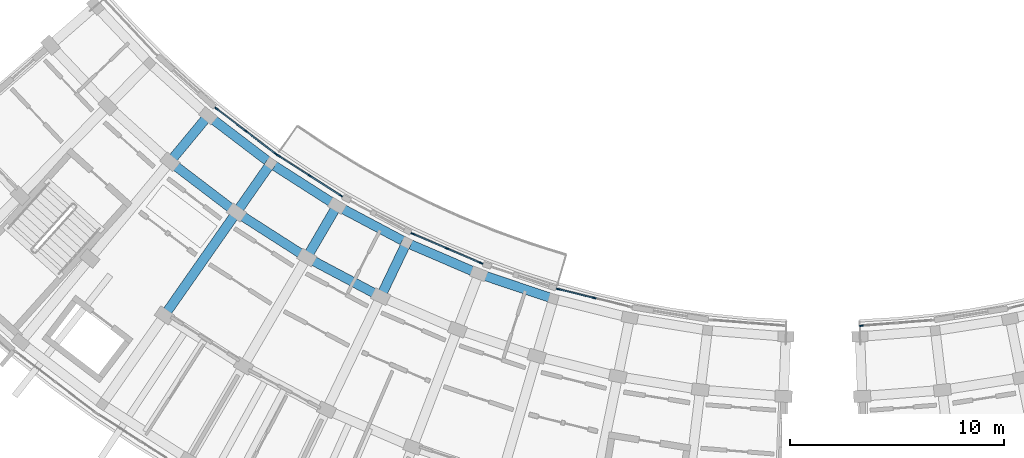
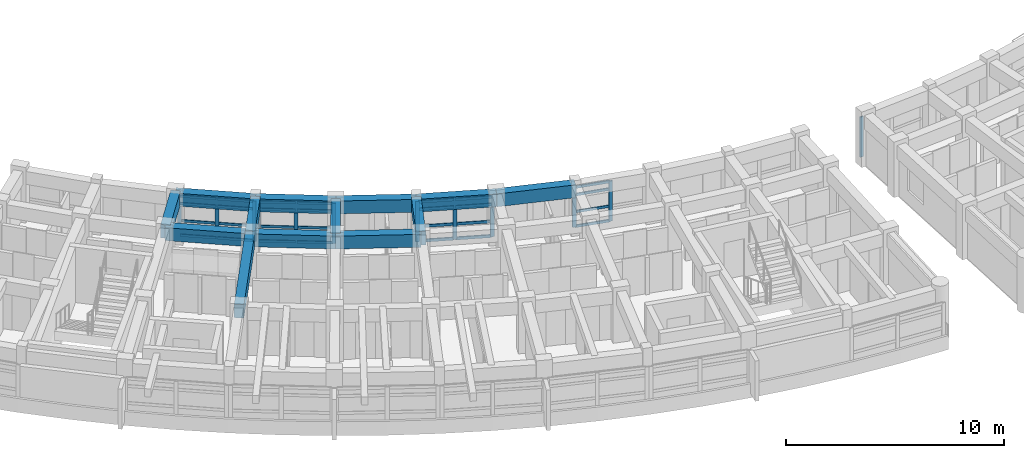
# One storey, part 13 of 56: 40 members, 13 beams, 5 elements without a shape of their own.
"""IFC4 building model written with IfcOpenShell, lengths in metres."""

from ifc_helpers import new_model, si_unit, direction, frame, origin, origin_2d, place, context, subcontext, project, spatial, rectangle, extrude, material, material_profile, profile_set, type_object, element, aggregate, save


model = new_model("IFC4")

# Units and contexts
model_context = context("Model", 3, precision=1e-05, world=origin(), true_north=direction((0.0, 1.0)))
body_context = subcontext(model_context, "Body", "Model", "MODEL_VIEW")
ifc_project = project(units=[si_unit("LENGTHUNIT", "METRE"), si_unit("AREAUNIT", "SQUARE_METRE"), si_unit("VOLUMEUNIT", "CUBIC_METRE"), si_unit("PLANEANGLEUNIT", "RADIAN"), si_unit("MASSUNIT", "GRAM", prefix="KILO")], contexts=[model_context])

# Site, building, storey
site_placement = place(None, origin())
site = spatial("IfcSite", under=ifc_project, at=site_placement, CompositionType="ELEMENT")
building_placement = place(site_placement, origin())
building = spatial("IfcBuilding", under=site, at=building_placement, Name="Zimvara Arc Housing Community", CompositionType="ELEMENT")
storey_placement = place(building_placement, frame((0.0, 0.0, 11.199951171875)))
storey = spatial("IfcBuildingStorey", under=building, at=storey_placement, Name="L03", CompositionType="ELEMENT", Elevation=11.199951171875)

# Beams
ifc_material_1 = material(Name="Concrete C40/50", Category="concrete")
ifc_material_profile_1 = material_profile(ifc_material_1, rectangle(XDim=0.43994140625, YDim=0.719970703125, at=origin_2d()), Name="RC 440x720")
ifc_profile_set_1 = profile_set([ifc_material_profile_1], Name="Concrete C40/50")
beam_type_1 = type_object("IfcBeamType", Name="BM-RC-440x720", PredefinedType="BEAM", material=ifc_profile_set_1)
for number, where, z_axis, x_axis, name in (
    (1, (97.195068359375, 75.114501953125, 2.5), (0.795484955371, -0.605973337515, 0.0), (0.605973337515, 0.795484955371, 0.0), "bm:blkC:L03:chord:r0:b2"),
    (2, (100.1259765625, 72.8818359375, 2.5), (0.842272604079, -0.539051816079, 0.0), (0.539051816079, 0.842272604079, 0.0), "bm:blkC:L03:chord:r0:b3"),
):
    element("IfcBeam", number, at=place(storey_placement, frame(where, z_axis=z_axis, x_axis=x_axis)), inside=storey, type_object=beam_type_1, Name=name, PredefinedType="BEAM", context=body_context, shape_type="SweptSolid", body=[
        extrude(rectangle(XDim=0.43994140625, YDim=0.719970703125, at=origin_2d()), origin(), (0.0, 0.0, 1.0), 3.684326171875),
    ])
for number, where, z_axis, x_axis, name in (
    (3, (103.229248046875, 70.895751953125, 2.5), (0.883449220086, -0.468526920815, 0.0), (0.468526920815, 0.883449220086, 0.0), "bm:blkC:L03:chord:r0:b4"),
    (4, (106.484375, 69.16943359375, 2.5), (0.918716071386, -0.394918700718, 0.0), (0.394918700718, 0.918716071386, 0.0), "bm:blkC:L03:chord:r0:b5"),
):
    element("IfcBeam", number, at=place(storey_placement, frame(where, z_axis=z_axis, x_axis=x_axis)), inside=storey, type_object=beam_type_1, Name=name, PredefinedType="BEAM", context=body_context, shape_type="SweptSolid", body=[
        extrude(rectangle(XDim=0.43994140625, YDim=0.719970703125, at=origin_2d()), origin(), (0.0, 0.0, 1.0), 3.6845703125),
    ])
beam_1_placement = place(storey_placement, frame((109.869384765625, 67.71435546875, 2.5), z_axis=(0.947865078275, -0.31867192124, 0.0), x_axis=(0.31867192124, 0.947865078275, 0.0)))
element("IfcBeam", 5, at=beam_1_placement, inside=storey, type_object=beam_type_1, Name="bm:blkC:L03:chord:r0:b6", PredefinedType="BEAM", context=body_context, shape_type="SweptSolid", body=[
    extrude(rectangle(XDim=0.43994140625, YDim=0.719970703125, at=origin_2d()), origin(), (0.0, 0.0, 1.0), 3.684326171875),
])
for number, where, z_axis, x_axis, name in (
    (6, (95.408935546875, 72.958251953125, 2.5), (0.795500462697, -0.605952979899, 0.0), (0.605952979899, 0.795500462697, 0.0), "bm:blkC:L03:chord:r1:b2"),
    (7, (98.521728515625, 70.587158203125, 2.5), (0.842224940184, -0.53912628403, 0.0), (0.53912628403, 0.842224940184, 0.0), "bm:blkC:L03:chord:r1:b3"),
    (8, (101.8173828125, 68.4775390625, 2.5), (0.883464449706, -0.468498202884, 0.0), (0.468498202884, 0.883464449706, 0.0), "bm:blkC:L03:chord:r1:b4"),
):
    element("IfcBeam", number, at=place(storey_placement, frame(where, z_axis=z_axis, x_axis=x_axis)), inside=storey, type_object=beam_type_1, Name=name, PredefinedType="BEAM", context=body_context, shape_type="SweptSolid", body=[
        extrude(rectangle(XDim=0.43994140625, YDim=0.719970703125, at=origin_2d()), origin(), (0.0, 0.0, 1.0), 3.9130859375),
    ])
ifc_material_2 = material(Name="Concrete C40/50", Category="concrete")
ifc_material_profile_2 = material_profile(ifc_material_2, rectangle(XDim=0.449951171875, YDim=0.75, at=origin_2d()), Name="RC 450x750")
ifc_profile_set_2 = profile_set([ifc_material_profile_2], Name="Concrete C40/50")
beam_type_2 = type_object("IfcBeamType", Name="BM-RC-450x750", PredefinedType="BEAM", material=ifc_profile_set_2)
beam_2_placement = place(storey_placement, frame((97.195068359375, 75.114501953125, 2.485107421875), z_axis=(-0.637917412223, -0.770104781951, 0.0), x_axis=(0.770104781951, -0.637917412223, 0.0)))
element("IfcBeam", 9, at=beam_2_placement, inside=storey, type_object=beam_type_2, Name="bm:blkC:L03:rad:b2:r01", PredefinedType="BEAM", context=body_context, shape_type="SweptSolid", body=[
    extrude(rectangle(XDim=0.449951171875, YDim=0.75, at=origin_2d()), origin(), (0.0, 0.0, 1.0), 2.800048828125),
])
beam_3_placement = place(storey_placement, frame((100.1259765625, 72.8818359375, 2.485107421875), z_axis=(-0.57297651105, -0.819571789281, 0.0), x_axis=(0.819571789281, -0.57297651105, 0.0)))
element("IfcBeam", 10, at=beam_3_placement, inside=storey, type_object=beam_type_2, Name="bm:blkC:L03:rad:b3:r01", PredefinedType="BEAM", context=body_context, shape_type="SweptSolid", body=[
    extrude(rectangle(XDim=0.449951171875, YDim=0.75, at=origin_2d()), origin(), (0.0, 0.0, 1.0), 2.7998046875),
])
beam_4_placement = place(storey_placement, frame((98.521728515625, 70.587158203125, 2.485107421875), z_axis=(-0.57300805165, -0.81954973781, 0.0), x_axis=(0.81954973781, -0.57300805165, 0.0)))
element("IfcBeam", 11, at=beam_4_placement, inside=storey, type_object=beam_type_2, Name="bm:blkC:L03:rad:b3:r12", PredefinedType="BEAM", context=body_context, shape_type="SweptSolid", body=[
    extrude(rectangle(XDim=0.449951171875, YDim=0.75, at=origin_2d()), origin(), (0.0, 0.0, 1.0), 5.880126953125),
])
beam_5_placement = place(storey_placement, frame((103.229248046875, 70.895751953125, 2.485107421875), z_axis=(-0.504201666262, -0.8635859423, 0.0), x_axis=(0.8635859423, -0.504201666262, 0.0)))
element("IfcBeam", 12, at=beam_5_placement, inside=storey, type_object=beam_type_2, Name="bm:blkC:L03:rad:b4:r01", PredefinedType="BEAM", context=body_context, shape_type="SweptSolid", body=[
    extrude(rectangle(XDim=0.449951171875, YDim=0.75, at=origin_2d()), origin(), (0.0, 0.0, 1.0), 2.80029296875),
])
beam_6_placement = place(storey_placement, frame((106.484375, 69.16943359375, 2.485107421875), z_axis=(-0.432118703138, -0.901816736593, 0.0), x_axis=(0.901816736593, -0.432118703138, 0.0)))
element("IfcBeam", 13, at=beam_6_placement, inside=storey, type_object=beam_type_2, Name="bm:blkC:L03:rad:b5:r01", PredefinedType="BEAM", context=body_context, shape_type="SweptSolid", body=[
    extrude(rectangle(XDim=0.449951171875, YDim=0.75, at=origin_2d()), origin(), (0.0, 0.0, 1.0), 2.800048828125),
])

# Curtain wall, members
ifc_material_3 = material(Name="Anodised Aluminium AW-6063", Category="aluminium")
curtain_wall_type_1 = type_object("IfcCurtainWallType", Name="CW-SYS-06", PredefinedType="USERDEFINED", material=ifc_material_3)
curtain_wall_1_placement = place(storey_placement, origin())
curtain_wall_1 = element("IfcCurtainWall", 14, at=curtain_wall_1_placement, inside=storey, type_object=curtain_wall_type_1, Name="cw:blkC:L03:in:b2", ObjectType="CURTAIN WALL", PredefinedType="USERDEFINED")
ifc_material_4 = material(Name="Anodised Aluminium AW-6063", Category="aluminium")
ifc_material_profile_3 = material_profile(ifc_material_4, rectangle(XDim=0.06494140625, YDim=0.179931640625, at=origin_2d()), Name="ALU 65x180")
ifc_profile_set_3 = profile_set([ifc_material_profile_3], Name="Anodised Aluminium AW-6063")
member_type_1 = type_object("IfcMemberType", Name="CWM-65x150", PredefinedType="MULLION", material=ifc_profile_set_3)
member_1_placement = place(storey_placement, frame((97.587646484375, 75.443603515625, 0.0), z_axis=(0.0, 0.0, 1.0), x_axis=(0.605988318533, 0.795473543119, 0.0)))
member_1 = element("IfcMember", 15, at=member_1_placement, type_object=member_type_1, Name="CW06 mullion 1", PredefinedType="MULLION", context=body_context, shape_type="SweptSolid", body=[
    extrude(rectangle(XDim=0.06494140625, YDim=0.179931640625, at=origin_2d()), origin(), (0.0, 0.0, 1.0), 2.25),
])
member_2_placement = place(storey_placement, frame((98.96337890625, 74.3955078125, 0.0), z_axis=(0.0, 0.0, 1.0), x_axis=(0.605988318533, 0.795473543119, 0.0)))
member_2 = element("IfcMember", 16, at=member_2_placement, type_object=member_type_1, Name="CW06 mullion 2", PredefinedType="MULLION", context=body_context, shape_type="SweptSolid", body=[
    extrude(rectangle(XDim=0.06494140625, YDim=0.179931640625, at=origin_2d()), origin(), (0.0, 0.0, 1.0), 2.25),
])
member_3_placement = place(storey_placement, frame((100.3388671875, 73.34765625, 0.0), z_axis=(0.0, 0.0, 1.0), x_axis=(0.605988318533, 0.795473543119, 0.0)))
member_3 = element("IfcMember", 17, at=member_3_placement, type_object=member_type_1, Name="CW06 mullion 3", PredefinedType="MULLION", context=body_context, shape_type="SweptSolid", body=[
    extrude(rectangle(XDim=0.06494140625, YDim=0.179931640625, at=origin_2d()), origin(), (0.0, 0.0, 1.0), 2.25),
])

ifc_material_5 = material(Name="Anodised Aluminium AW-6063", Category="aluminium")
curtain_wall_type_2 = type_object("IfcCurtainWallType", Name="CW-SYS-08", PredefinedType="USERDEFINED", material=ifc_material_5)
curtain_wall_2_placement = place(storey_placement, origin())
curtain_wall_2 = element("IfcCurtainWall", 18, at=curtain_wall_2_placement, inside=storey, type_object=curtain_wall_type_2, Name="cw:blkC:L03:in:b3", ObjectType="CURTAIN WALL", PredefinedType="USERDEFINED")
member_4_placement = place(storey_placement, frame((100.490478515625, 73.24169921875, 0.0), z_axis=(0.0, 0.0, 1.0), x_axis=(0.539064085203, 0.842264751752, 0.0)))
member_4 = element("IfcMember", 19, at=member_4_placement, type_object=member_type_1, Name="CW08 mullion 1", PredefinedType="MULLION", context=body_context, shape_type="SweptSolid", body=[
    extrude(rectangle(XDim=0.06494140625, YDim=0.179931640625, at=origin_2d()), origin(), (0.0, 0.0, 1.0), 2.25),
])
member_5_placement = place(storey_placement, frame((101.947021484375, 72.3095703125, 0.0), z_axis=(0.0, 0.0, 1.0), x_axis=(0.539064085203, 0.842264751752, 0.0)))
member_5 = element("IfcMember", 20, at=member_5_placement, type_object=member_type_1, Name="CW08 mullion 2", PredefinedType="MULLION", context=body_context, shape_type="SweptSolid", body=[
    extrude(rectangle(XDim=0.06494140625, YDim=0.179931640625, at=origin_2d()), origin(), (0.0, 0.0, 1.0), 2.25),
])
member_6_placement = place(storey_placement, frame((103.403564453125, 71.377197265625, 0.0), z_axis=(0.0, 0.0, 1.0), x_axis=(0.539064085203, 0.842264751752, 0.0)))
member_6 = element("IfcMember", 21, at=member_6_placement, type_object=member_type_1, Name="CW08 mullion 3", PredefinedType="MULLION", context=body_context, shape_type="SweptSolid", body=[
    extrude(rectangle(XDim=0.06494140625, YDim=0.179931640625, at=origin_2d()), origin(), (0.0, 0.0, 1.0), 2.25),
])

curtain_wall_3_placement = place(storey_placement, origin())
curtain_wall_3 = element("IfcCurtainWall", 22, at=curtain_wall_3_placement, inside=storey, type_object=curtain_wall_type_1, Name="cw:blkC:L03:in:b7", ObjectType="CURTAIN WALL", PredefinedType="USERDEFINED")
member_7_placement = place(storey_placement, frame((113.59130859375, 66.998291015625, 0.0), z_axis=(0.0, 0.0, 1.0), x_axis=(0.240227815706, 0.970716537698, 0.0)))
member_7 = element("IfcMember", 23, at=member_7_placement, type_object=member_type_1, Name="CW06 mullion 1", PredefinedType="MULLION", context=body_context, shape_type="SweptSolid", body=[
    extrude(rectangle(XDim=0.06494140625, YDim=0.179931640625, at=origin_2d()), origin(), (0.0, 0.0, 1.0), 2.25),
])
member_8_placement = place(storey_placement, frame((115.27001953125, 66.582763671875, 0.0), z_axis=(0.0, 0.0, 1.0), x_axis=(0.240227815706, 0.970716537698, 0.0)))
member_8 = element("IfcMember", 24, at=member_8_placement, type_object=member_type_1, Name="CW06 mullion 2", PredefinedType="MULLION", context=body_context, shape_type="SweptSolid", body=[
    extrude(rectangle(XDim=0.06494140625, YDim=0.179931640625, at=origin_2d()), origin(), (0.0, 0.0, 1.0), 2.25),
])

# Curtain wall, member
ifc_material_6 = material(Name="Anodised Aluminium AW-6063", Category="aluminium")
curtain_wall_type_3 = type_object("IfcCurtainWallType", Name="CW-SYS-04", PredefinedType="USERDEFINED", material=ifc_material_6)
curtain_wall_4_placement = place(storey_placement, origin())
curtain_wall_4 = element("IfcCurtainWall", 25, at=curtain_wall_4_placement, inside=storey, type_object=curtain_wall_type_3, Name="cw:blkD:L03:in:b0", ObjectType="CURTAIN WALL", PredefinedType="USERDEFINED")
member_9_placement = place(storey_placement, frame((127.78515625, 65.280029296875, 0.0), z_axis=(0.0, 0.0, 1.0), x_axis=(-0.077590099579, 0.996985344149, 0.0)))
member_9 = element("IfcMember", 26, at=member_9_placement, type_object=member_type_1, Name="CW04 mullion 1", PredefinedType="MULLION", context=body_context, shape_type="SweptSolid", body=[
    extrude(rectangle(XDim=0.06494140625, YDim=0.179931640625, at=origin_2d()), origin(), (0.0, 0.0, 1.0), 2.25),
])
aggregate(curtain_wall_4, [member_9])

# Curtain wall, members
ifc_material_7 = material(Name="Anodised Aluminium AW-6063", Category="aluminium")
curtain_wall_type_4 = type_object("IfcCurtainWallType", Name="CW-SYS-03", PredefinedType="USERDEFINED", material=ifc_material_7)
curtain_wall_5_placement = place(storey_placement, origin())
curtain_wall_5 = element("IfcCurtainWall", 27, at=curtain_wall_5_placement, inside=storey, type_object=curtain_wall_type_4, Name="cw:blkC:L03:in:b5", ObjectType="CURTAIN WALL", PredefinedType="USERDEFINED")
ifc_material_8 = material(Name="Anodised Aluminium AW-6063", Category="aluminium")
ifc_material_profile_4 = material_profile(ifc_material_8, rectangle(XDim=0.06494140625, YDim=0.195068359375, at=origin_2d()), Name="ALU 65x195")
ifc_profile_set_4 = profile_set([ifc_material_profile_4], Name="Anodised Aluminium AW-6063")
member_type_2 = type_object("IfcMemberType", Name="CWM-65x180", PredefinedType="MULLION", material=ifc_profile_set_4)
member_10_placement = place(storey_placement, frame((106.785400390625, 69.583740234375, 0.0), z_axis=(0.0, 0.0, 1.0), x_axis=(0.394904493375, 0.918722178415, 0.0)))
member_10 = element("IfcMember", 28, at=member_10_placement, type_object=member_type_2, Name="CW03 mullion 1", PredefinedType="MULLION", context=body_context, shape_type="SweptSolid", body=[
    extrude(rectangle(XDim=0.06494140625, YDim=0.195068359375, at=origin_2d()), origin(), (0.0, 0.0, 1.0), 2.25),
])
member_11_placement = place(storey_placement, frame((108.3740234375, 68.90087890625, 0.0), z_axis=(0.0, 0.0, 1.0), x_axis=(0.394904493375, 0.918722178415, 0.0)))
member_11 = element("IfcMember", 29, at=member_11_placement, type_object=member_type_2, Name="CW03 mullion 2", PredefinedType="MULLION", context=body_context, shape_type="SweptSolid", body=[
    extrude(rectangle(XDim=0.06494140625, YDim=0.195068359375, at=origin_2d()), origin(), (0.0, 0.0, 1.0), 2.25),
])
member_12_placement = place(storey_placement, frame((109.962890625, 68.2177734375, 0.0), z_axis=(0.0, 0.0, 1.0), x_axis=(0.394904493375, 0.918722178415, 0.0)))
member_12 = element("IfcMember", 30, at=member_12_placement, type_object=member_type_2, Name="CW03 mullion 3", PredefinedType="MULLION", context=body_context, shape_type="SweptSolid", body=[
    extrude(rectangle(XDim=0.06494140625, YDim=0.195068359375, at=origin_2d()), origin(), (0.0, 0.0, 1.0), 2.25),
])

# Member
ifc_material_9 = material(Name="Anodised Aluminium AW-6063", Category="aluminium")
ifc_material_profile_5 = material_profile(ifc_material_9, rectangle(XDim=0.06494140625, YDim=0.139892578125, at=origin_2d()), Name="ALU 65x140")
ifc_profile_set_5 = profile_set([ifc_material_profile_5], Name="Anodised Aluminium AW-6063")
member_type_3 = type_object("IfcMemberType", Name="CWT-65x120", PredefinedType="USERDEFINED", material=ifc_profile_set_5)
member_13_placement = place(storey_placement, frame((97.613525390625, 75.423828125, 0.032470703125), z_axis=(0.795488960577, -0.605968079687, 0.0), x_axis=(0.605968079687, 0.795488960577, 0.0)))
member_13 = element("IfcMember", 31, at=member_13_placement, type_object=member_type_3, Name="CW06 transom 1.1", ObjectType="TRANSOM", PredefinedType="USERDEFINED", context=body_context, shape_type="SweptSolid", body=[
    extrude(rectangle(XDim=0.06494140625, YDim=0.139892578125, at=origin_2d()), origin(), (0.0, 0.0, 1.0), 1.664306640625),
])

member_14_placement = place(storey_placement, frame((97.613525390625, 75.423828125, 0.85009765625), z_axis=(0.795488960577, -0.605968079687, 0.0), x_axis=(0.605968079687, 0.795488960577, 0.0)))
member_14 = element("IfcMember", 32, at=member_14_placement, type_object=member_type_3, Name="CW06 transom 1.2", ObjectType="TRANSOM", PredefinedType="USERDEFINED", context=body_context, shape_type="SweptSolid", body=[
    extrude(rectangle(XDim=0.06494140625, YDim=0.139892578125, at=origin_2d()), origin(), (0.0, 0.0, 1.0), 1.664306640625),
])

member_15_placement = place(storey_placement, frame((97.613525390625, 75.423828125, 1.800048828125), z_axis=(0.795488960577, -0.605968079687, 0.0), x_axis=(0.605968079687, 0.795488960577, 0.0)))
member_15 = element("IfcMember", 33, at=member_15_placement, type_object=member_type_3, Name="CW06 transom 1.3", ObjectType="TRANSOM", PredefinedType="USERDEFINED", context=body_context, shape_type="SweptSolid", body=[
    extrude(rectangle(XDim=0.06494140625, YDim=0.139892578125, at=origin_2d()), origin(), (0.0, 0.0, 1.0), 1.664306640625),
])

member_16_placement = place(storey_placement, frame((97.613525390625, 75.423828125, 2.217529296875), z_axis=(0.795488960577, -0.605968079687, 0.0), x_axis=(0.605968079687, 0.795488960577, 0.0)))
member_16 = element("IfcMember", 34, at=member_16_placement, type_object=member_type_3, Name="CW06 transom 1.4", ObjectType="TRANSOM", PredefinedType="USERDEFINED", context=body_context, shape_type="SweptSolid", body=[
    extrude(rectangle(XDim=0.06494140625, YDim=0.139892578125, at=origin_2d()), origin(), (0.0, 0.0, 1.0), 1.664306640625),
])

member_17_placement = place(storey_placement, frame((98.9892578125, 74.3759765625, 0.032470703125), z_axis=(0.795435087713, -0.606038795157, 0.0), x_axis=(0.606038795157, 0.795435087713, 0.0)))
member_17 = element("IfcMember", 35, at=member_17_placement, type_object=member_type_3, Name="CW06 transom 2.1", ObjectType="TRANSOM", PredefinedType="USERDEFINED", context=body_context, shape_type="SweptSolid", body=[
    extrude(rectangle(XDim=0.06494140625, YDim=0.139892578125, at=origin_2d()), origin(), (0.0, 0.0, 1.0), 1.6640625),
])

member_18_placement = place(storey_placement, frame((98.9892578125, 74.3759765625, 0.85009765625), z_axis=(0.795435087713, -0.606038795157, 0.0), x_axis=(0.606038795157, 0.795435087713, 0.0)))
member_18 = element("IfcMember", 36, at=member_18_placement, type_object=member_type_3, Name="CW06 transom 2.2", ObjectType="TRANSOM", PredefinedType="USERDEFINED", context=body_context, shape_type="SweptSolid", body=[
    extrude(rectangle(XDim=0.06494140625, YDim=0.139892578125, at=origin_2d()), origin(), (0.0, 0.0, 1.0), 1.6640625),
])

member_19_placement = place(storey_placement, frame((98.9892578125, 74.3759765625, 1.800048828125), z_axis=(0.795435087713, -0.606038795157, 0.0), x_axis=(0.606038795157, 0.795435087713, 0.0)))
member_19 = element("IfcMember", 37, at=member_19_placement, type_object=member_type_3, Name="CW06 transom 2.3", ObjectType="TRANSOM", PredefinedType="USERDEFINED", context=body_context, shape_type="SweptSolid", body=[
    extrude(rectangle(XDim=0.06494140625, YDim=0.139892578125, at=origin_2d()), origin(), (0.0, 0.0, 1.0), 1.6640625),
])

member_20_placement = place(storey_placement, frame((98.9892578125, 74.3759765625, 2.217529296875), z_axis=(0.795435087713, -0.606038795157, 0.0), x_axis=(0.606038795157, 0.795435087713, 0.0)))
member_20 = element("IfcMember", 38, at=member_20_placement, type_object=member_type_3, Name="CW06 transom 2.4", ObjectType="TRANSOM", PredefinedType="USERDEFINED", context=body_context, shape_type="SweptSolid", body=[
    extrude(rectangle(XDim=0.06494140625, YDim=0.139892578125, at=origin_2d()), origin(), (0.0, 0.0, 1.0), 1.6640625),
])

aggregate(curtain_wall_1, [member_1, member_2, member_3, member_13, member_14, member_15, member_16, member_17, member_18, member_19, member_20])

member_21_placement = place(storey_placement, frame((100.517822265625, 73.22412109375, 0.032470703125), z_axis=(0.842263408668, -0.539066183709, 0.0), x_axis=(0.539066183709, 0.842263408668, 0.0)))
member_21 = element("IfcMember", 39, at=member_21_placement, type_object=member_type_3, Name="CW08 transom 1.1", ObjectType="TRANSOM", PredefinedType="USERDEFINED", context=body_context, shape_type="SweptSolid", body=[
    extrude(rectangle(XDim=0.06494140625, YDim=0.139892578125, at=origin_2d()), origin(), (0.0, 0.0, 1.0), 1.664306640625),
])

member_22_placement = place(storey_placement, frame((100.517822265625, 73.22412109375, 0.85009765625), z_axis=(0.842263408668, -0.539066183709, 0.0), x_axis=(0.539066183709, 0.842263408668, 0.0)))
member_22 = element("IfcMember", 40, at=member_22_placement, type_object=member_type_3, Name="CW08 transom 1.2", ObjectType="TRANSOM", PredefinedType="USERDEFINED", context=body_context, shape_type="SweptSolid", body=[
    extrude(rectangle(XDim=0.06494140625, YDim=0.139892578125, at=origin_2d()), origin(), (0.0, 0.0, 1.0), 1.664306640625),
])

member_23_placement = place(storey_placement, frame((100.517822265625, 73.22412109375, 1.800048828125), z_axis=(0.842263408668, -0.539066183709, 0.0), x_axis=(0.539066183709, 0.842263408668, 0.0)))
member_23 = element("IfcMember", 41, at=member_23_placement, type_object=member_type_3, Name="CW08 transom 1.3", ObjectType="TRANSOM", PredefinedType="USERDEFINED", context=body_context, shape_type="SweptSolid", body=[
    extrude(rectangle(XDim=0.06494140625, YDim=0.139892578125, at=origin_2d()), origin(), (0.0, 0.0, 1.0), 1.664306640625),
])

member_24_placement = place(storey_placement, frame((100.517822265625, 73.22412109375, 2.217529296875), z_axis=(0.842263408668, -0.539066183709, 0.0), x_axis=(0.539066183709, 0.842263408668, 0.0)))
member_24 = element("IfcMember", 42, at=member_24_placement, type_object=member_type_3, Name="CW08 transom 1.4", ObjectType="TRANSOM", PredefinedType="USERDEFINED", context=body_context, shape_type="SweptSolid", body=[
    extrude(rectangle(XDim=0.06494140625, YDim=0.139892578125, at=origin_2d()), origin(), (0.0, 0.0, 1.0), 1.664306640625),
])

member_25_placement = place(storey_placement, frame((101.974365234375, 72.2919921875, 0.032470703125), z_axis=(0.842263408668, -0.539066183709, 0.0), x_axis=(0.539066183709, 0.842263408668, 0.0)))
member_25 = element("IfcMember", 43, at=member_25_placement, type_object=member_type_3, Name="CW08 transom 2.1", ObjectType="TRANSOM", PredefinedType="USERDEFINED", context=body_context, shape_type="SweptSolid", body=[
    extrude(rectangle(XDim=0.06494140625, YDim=0.139892578125, at=origin_2d()), origin(), (0.0, 0.0, 1.0), 1.664306640625),
])

member_26_placement = place(storey_placement, frame((101.974365234375, 72.2919921875, 0.85009765625), z_axis=(0.842263408668, -0.539066183709, 0.0), x_axis=(0.539066183709, 0.842263408668, 0.0)))
member_26 = element("IfcMember", 44, at=member_26_placement, type_object=member_type_3, Name="CW08 transom 2.2", ObjectType="TRANSOM", PredefinedType="USERDEFINED", context=body_context, shape_type="SweptSolid", body=[
    extrude(rectangle(XDim=0.06494140625, YDim=0.139892578125, at=origin_2d()), origin(), (0.0, 0.0, 1.0), 1.664306640625),
])

member_27_placement = place(storey_placement, frame((101.974365234375, 72.2919921875, 1.800048828125), z_axis=(0.842263408668, -0.539066183709, 0.0), x_axis=(0.539066183709, 0.842263408668, 0.0)))
member_27 = element("IfcMember", 45, at=member_27_placement, type_object=member_type_3, Name="CW08 transom 2.3", ObjectType="TRANSOM", PredefinedType="USERDEFINED", context=body_context, shape_type="SweptSolid", body=[
    extrude(rectangle(XDim=0.06494140625, YDim=0.139892578125, at=origin_2d()), origin(), (0.0, 0.0, 1.0), 1.664306640625),
])

member_28_placement = place(storey_placement, frame((101.974365234375, 72.2919921875, 2.217529296875), z_axis=(0.842263408668, -0.539066183709, 0.0), x_axis=(0.539066183709, 0.842263408668, 0.0)))
member_28 = element("IfcMember", 46, at=member_28_placement, type_object=member_type_3, Name="CW08 transom 2.4", ObjectType="TRANSOM", PredefinedType="USERDEFINED", context=body_context, shape_type="SweptSolid", body=[
    extrude(rectangle(XDim=0.06494140625, YDim=0.139892578125, at=origin_2d()), origin(), (0.0, 0.0, 1.0), 1.664306640625),
])

aggregate(curtain_wall_2, [member_4, member_5, member_6, member_21, member_22, member_23, member_24, member_25, member_26, member_27, member_28])

member_29_placement = place(storey_placement, frame((113.622802734375, 66.990478515625, 0.032470703125), z_axis=(0.970709278499, -0.2402571469, 0.0), x_axis=(0.2402571469, 0.970709278499, 0.0)))
member_29 = element("IfcMember", 47, at=member_29_placement, type_object=member_type_3, Name="CW06 transom 1.1", ObjectType="TRANSOM", PredefinedType="USERDEFINED", context=body_context, shape_type="SweptSolid", body=[
    extrude(rectangle(XDim=0.06494140625, YDim=0.139892578125, at=origin_2d()), origin(), (0.0, 0.0, 1.0), 1.66455078125),
])

member_30_placement = place(storey_placement, frame((113.622802734375, 66.990478515625, 0.85009765625), z_axis=(0.970709278499, -0.2402571469, 0.0), x_axis=(0.2402571469, 0.970709278499, 0.0)))
member_30 = element("IfcMember", 48, at=member_30_placement, type_object=member_type_3, Name="CW06 transom 1.2", ObjectType="TRANSOM", PredefinedType="USERDEFINED", context=body_context, shape_type="SweptSolid", body=[
    extrude(rectangle(XDim=0.06494140625, YDim=0.139892578125, at=origin_2d()), origin(), (0.0, 0.0, 1.0), 1.66455078125),
])

member_31_placement = place(storey_placement, frame((113.622802734375, 66.990478515625, 1.800048828125), z_axis=(0.970709278499, -0.2402571469, 0.0), x_axis=(0.2402571469, 0.970709278499, 0.0)))
member_31 = element("IfcMember", 49, at=member_31_placement, type_object=member_type_3, Name="CW06 transom 1.3", ObjectType="TRANSOM", PredefinedType="USERDEFINED", context=body_context, shape_type="SweptSolid", body=[
    extrude(rectangle(XDim=0.06494140625, YDim=0.139892578125, at=origin_2d()), origin(), (0.0, 0.0, 1.0), 1.66455078125),
])

member_32_placement = place(storey_placement, frame((113.622802734375, 66.990478515625, 2.217529296875), z_axis=(0.970709278499, -0.2402571469, 0.0), x_axis=(0.2402571469, 0.970709278499, 0.0)))
member_32 = element("IfcMember", 50, at=member_32_placement, type_object=member_type_3, Name="CW06 transom 1.4", ObjectType="TRANSOM", PredefinedType="USERDEFINED", context=body_context, shape_type="SweptSolid", body=[
    extrude(rectangle(XDim=0.06494140625, YDim=0.139892578125, at=origin_2d()), origin(), (0.0, 0.0, 1.0), 1.66455078125),
])

aggregate(curtain_wall_3, [member_7, member_8, member_29, member_30, member_31, member_32])

ifc_material_10 = material(Name="Anodised Aluminium AW-6063", Category="aluminium")
ifc_material_profile_6 = material_profile(ifc_material_10, rectangle(XDim=0.06494140625, YDim=0.155029296875, at=origin_2d()), Name="ALU 65x155")
ifc_profile_set_6 = profile_set([ifc_material_profile_6], Name="Anodised Aluminium AW-6063")
member_type_4 = type_object("IfcMemberType", Name="CWT-65x140", PredefinedType="USERDEFINED", material=ifc_profile_set_6)
member_33_placement = place(storey_placement, frame((106.815185546875, 69.57080078125, 0.032470703125), z_axis=(0.918727202972, -0.394892803832, 0.0), x_axis=(0.394892803832, 0.918727202972, 0.0)))
member_33 = element("IfcMember", 51, at=member_33_placement, type_object=member_type_4, Name="CW03 transom 1.1", ObjectType="TRANSOM", PredefinedType="USERDEFINED", context=body_context, shape_type="SweptSolid", body=[
    extrude(rectangle(XDim=0.06494140625, YDim=0.155029296875, at=origin_2d()), origin(), (0.0, 0.0, 1.0), 1.664306640625),
])

member_34_placement = place(storey_placement, frame((106.815185546875, 69.57080078125, 0.85009765625), z_axis=(0.918727202972, -0.394892803832, 0.0), x_axis=(0.394892803832, 0.918727202972, 0.0)))
member_34 = element("IfcMember", 52, at=member_34_placement, type_object=member_type_4, Name="CW03 transom 1.2", ObjectType="TRANSOM", PredefinedType="USERDEFINED", context=body_context, shape_type="SweptSolid", body=[
    extrude(rectangle(XDim=0.06494140625, YDim=0.155029296875, at=origin_2d()), origin(), (0.0, 0.0, 1.0), 1.664306640625),
])

member_35_placement = place(storey_placement, frame((106.815185546875, 69.57080078125, 1.800048828125), z_axis=(0.918727202972, -0.394892803832, 0.0), x_axis=(0.394892803832, 0.918727202972, 0.0)))
member_35 = element("IfcMember", 53, at=member_35_placement, type_object=member_type_4, Name="CW03 transom 1.3", ObjectType="TRANSOM", PredefinedType="USERDEFINED", context=body_context, shape_type="SweptSolid", body=[
    extrude(rectangle(XDim=0.06494140625, YDim=0.155029296875, at=origin_2d()), origin(), (0.0, 0.0, 1.0), 1.664306640625),
])

member_36_placement = place(storey_placement, frame((106.815185546875, 69.57080078125, 2.217529296875), z_axis=(0.918727202972, -0.394892803832, 0.0), x_axis=(0.394892803832, 0.918727202972, 0.0)))
member_36 = element("IfcMember", 54, at=member_36_placement, type_object=member_type_4, Name="CW03 transom 1.4", ObjectType="TRANSOM", PredefinedType="USERDEFINED", context=body_context, shape_type="SweptSolid", body=[
    extrude(rectangle(XDim=0.06494140625, YDim=0.155029296875, at=origin_2d()), origin(), (0.0, 0.0, 1.0), 1.664306640625),
])

member_37_placement = place(storey_placement, frame((108.40380859375, 68.887939453125, 0.032470703125), z_axis=(0.918727202972, -0.394892803832, 0.0), x_axis=(0.394892803832, 0.918727202972, 0.0)))
member_37 = element("IfcMember", 55, at=member_37_placement, type_object=member_type_4, Name="CW03 transom 2.1", ObjectType="TRANSOM", PredefinedType="USERDEFINED", context=body_context, shape_type="SweptSolid", body=[
    extrude(rectangle(XDim=0.06494140625, YDim=0.155029296875, at=origin_2d()), origin(), (0.0, 0.0, 1.0), 1.664306640625),
])

member_38_placement = place(storey_placement, frame((108.40380859375, 68.887939453125, 0.85009765625), z_axis=(0.918727202972, -0.394892803832, 0.0), x_axis=(0.394892803832, 0.918727202972, 0.0)))
member_38 = element("IfcMember", 56, at=member_38_placement, type_object=member_type_4, Name="CW03 transom 2.2", ObjectType="TRANSOM", PredefinedType="USERDEFINED", context=body_context, shape_type="SweptSolid", body=[
    extrude(rectangle(XDim=0.06494140625, YDim=0.155029296875, at=origin_2d()), origin(), (0.0, 0.0, 1.0), 1.664306640625),
])

member_39_placement = place(storey_placement, frame((108.40380859375, 68.887939453125, 1.800048828125), z_axis=(0.918727202972, -0.394892803832, 0.0), x_axis=(0.394892803832, 0.918727202972, 0.0)))
member_39 = element("IfcMember", 57, at=member_39_placement, type_object=member_type_4, Name="CW03 transom 2.3", ObjectType="TRANSOM", PredefinedType="USERDEFINED", context=body_context, shape_type="SweptSolid", body=[
    extrude(rectangle(XDim=0.06494140625, YDim=0.155029296875, at=origin_2d()), origin(), (0.0, 0.0, 1.0), 1.664306640625),
])

member_40_placement = place(storey_placement, frame((108.40380859375, 68.887939453125, 2.217529296875), z_axis=(0.918727202972, -0.394892803832, 0.0), x_axis=(0.394892803832, 0.918727202972, 0.0)))
member_40 = element("IfcMember", 58, at=member_40_placement, type_object=member_type_4, Name="CW03 transom 2.4", ObjectType="TRANSOM", PredefinedType="USERDEFINED", context=body_context, shape_type="SweptSolid", body=[
    extrude(rectangle(XDim=0.06494140625, YDim=0.155029296875, at=origin_2d()), origin(), (0.0, 0.0, 1.0), 1.664306640625),
])

aggregate(curtain_wall_5, [member_10, member_11, member_12, member_33, member_34, member_35, member_36, member_37, member_38, member_39, member_40])

save(model, "model.ifc")
